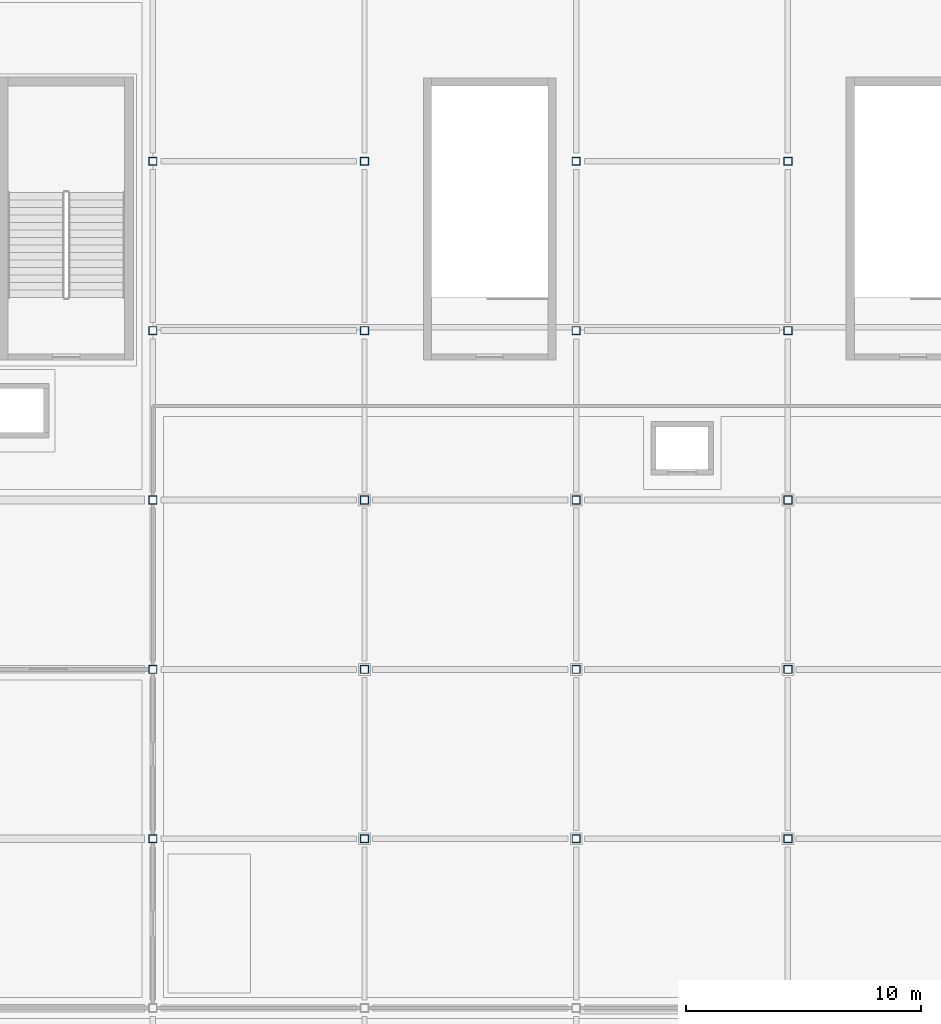
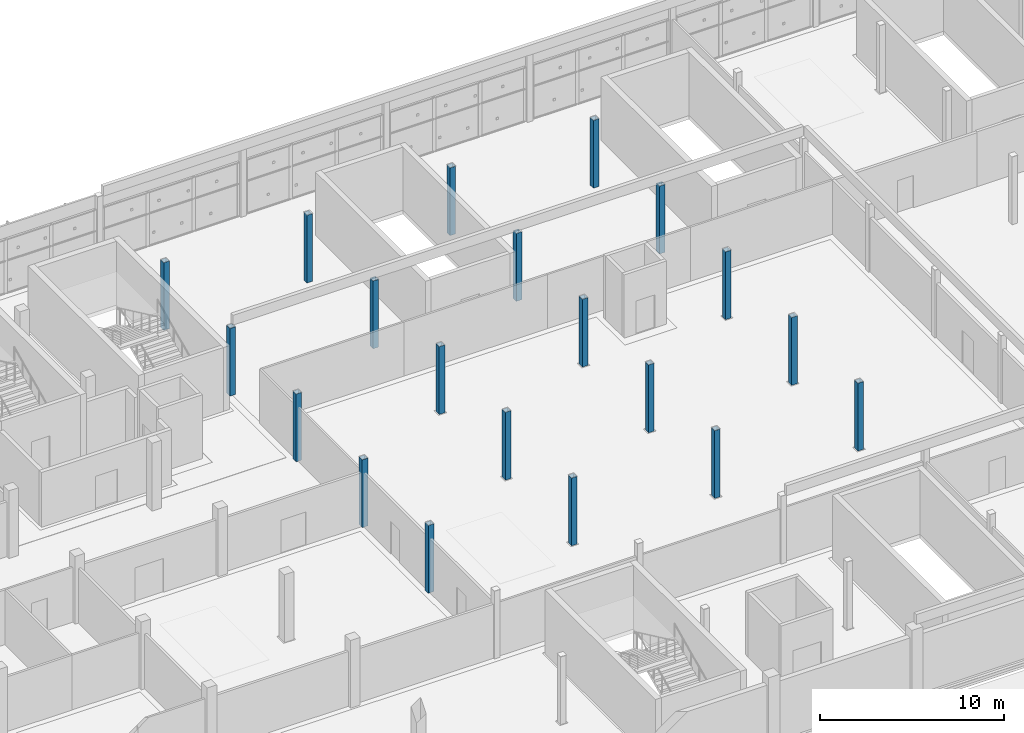
# One storey, part 7 of 124: 20 columns.
"""IFC4 building model written with IfcOpenShell, lengths in metres."""

from ifc_helpers import new_model, si_unit, direction, frame, origin, origin_2d, place, context, subcontext, project, spatial, hollow_rectangle, extrude, material, material_profile, profile_set, type_object, element, save


model = new_model("IFC4")

# Units and contexts
model_context = context("Model", 3, precision=1e-05, world=origin(), true_north=direction((0.0, 1.0)))
body_context = subcontext(model_context, "Body", "Model", "MODEL_VIEW")
ifc_project = project(units=[si_unit("LENGTHUNIT", "METRE"), si_unit("AREAUNIT", "SQUARE_METRE"), si_unit("VOLUMEUNIT", "CUBIC_METRE"), si_unit("PLANEANGLEUNIT", "RADIAN"), si_unit("MASSUNIT", "GRAM", prefix="KILO")], contexts=[model_context])

# Site, building, storey
site_placement = place(None, origin())
site = spatial("IfcSite", under=ifc_project, at=site_placement, CompositionType="ELEMENT")
building_placement = place(site_placement, origin())
building = spatial("IfcBuilding", under=site, at=building_placement, Name="Celestram Park Convention Centre", CompositionType="ELEMENT")
storey_placement = place(building_placement, frame((0.0, 0.0, 15.300048828125)))
storey = spatial("IfcBuildingStorey", under=building, at=storey_placement, Name="L03", CompositionType="ELEMENT", Elevation=15.300048828125)

# Columns
ifc_material = material(Name="Steel ASTM A500 Grade C", Category="steel")
ifc_material_profile = material_profile(ifc_material, hollow_rectangle(XDim=0.35009765625, YDim=0.35009765625, WallThickness=0.01611328125, at=origin_2d()), Name="HSS350X350X16")
ifc_profile_set = profile_set([ifc_material_profile], Name="Steel ASTM A500 Grade C")
column_type = type_object("IfcColumnType", Name="STR-COL-HSS350", PredefinedType="COLUMN", material=ifc_profile_set)
for number, where, z_axis, x_axis, name in (
    (1, (99.0, 129.60009765625, 0.0), (0.0, 0.0, 1.0), (1.0, 0.0, 0.0), "Column CN-L03-064"),
    (2, (99.0, 136.800048828125, 0.0), (0.0, 0.0, 1.0), (1.0, 0.0, 0.0), "Column CN-L03-065"),
    (3, (99.0, 144.0, 0.0), (0.0, 0.0, 1.0), (1.0, 0.0, 0.0), "Column CN-L03-066"),
    (4, (99.0, 151.199951171875, 0.0), (0.0, 0.0, 1.0), (1.0, 0.0, 0.0), "Column CN-L03-067"),
    (5, (99.0, 158.39990234375, 0.0), (0.0, 0.0, 1.0), (1.0, 0.0, 0.0), "Column CN-L03-068"),
    (6, (108.0, 129.60009765625, 0.0), (0.0, 0.0, 1.0), (1.0, 0.0, 0.0), "Column CN-L03-073"),
    (7, (108.0, 136.800048828125, 0.0), (0.0, 0.0, 1.0), (1.0, 0.0, 0.0), "Column CN-L03-074"),
    (8, (108.0, 144.0, 0.0), (0.0, 0.0, 1.0), (1.0, 0.0, 0.0), "Column CN-L03-075"),
    (9, (108.0, 151.199951171875, 0.0), (0.0, 0.0, 1.0), (1.0, 0.0, 0.0), "Column CN-L03-076"),
    (10, (108.0, 158.39990234375, 0.0), (0.0, 0.0, 1.0), (1.0, 0.0, 0.0), "Column CN-L03-077"),
    (11, (117.0, 129.60009765625, 0.0), (0.0, 0.0, 1.0), (1.0, 0.0, 0.0), "Column CN-L03-082"),
    (12, (117.0, 136.800048828125, 0.0), (0.0, 0.0, 1.0), (1.0, 0.0, 0.0), "Column CN-L03-083"),
    (13, (117.0, 144.0, 0.0), (0.0, 0.0, 1.0), (1.0, 0.0, 0.0), "Column CN-L03-084"),
    (14, (117.0, 151.199951171875, 0.0), (0.0, 0.0, 1.0), (1.0, 0.0, 0.0), "Column CN-L03-085"),
    (15, (117.0, 158.39990234375, 0.0), (0.0, 0.0, 1.0), (1.0, 0.0, 0.0), "Column CN-L03-086"),
    (16, (126.0, 129.60009765625, 0.0), (0.0, 0.0, 1.0), (1.0, 0.0, 0.0), "Column CN-L03-099"),
    (17, (126.0, 136.800048828125, 0.0), (0.0, 0.0, 1.0), (1.0, 0.0, 0.0), "Column CN-L03-100"),
    (18, (126.0, 144.0, 0.0), (0.0, 0.0, 1.0), (1.0, 0.0, 0.0), "Column CN-L03-101"),
    (19, (126.0, 151.199951171875, 0.0), (0.0, 0.0, 1.0), (1.0, 0.0, 0.0), "Column CN-L03-102"),
    (20, (126.0, 158.39990234375, 0.0), (0.0, 0.0, 1.0), (1.0, 0.0, 0.0), "Column CN-L03-103"),
):
    element("IfcColumn", number, at=place(storey_placement, frame(where, z_axis=z_axis, x_axis=x_axis)), inside=storey, type_object=column_type, Name=name, PredefinedType="COLUMN", context=body_context, shape_type="SweptSolid", body=[
        extrude(hollow_rectangle(XDim=0.35009765625, YDim=0.35009765625, WallThickness=0.01611328125, at=origin_2d()), origin(), (0.0, 0.0, 1.0), 4.5),
    ])

save(model, "model.ifc")
